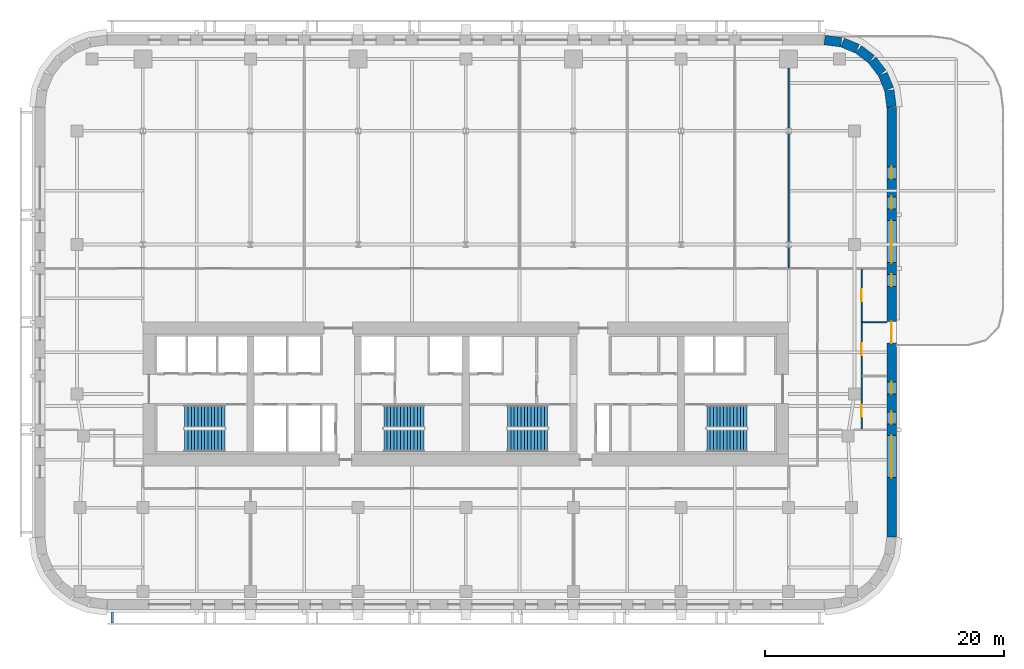
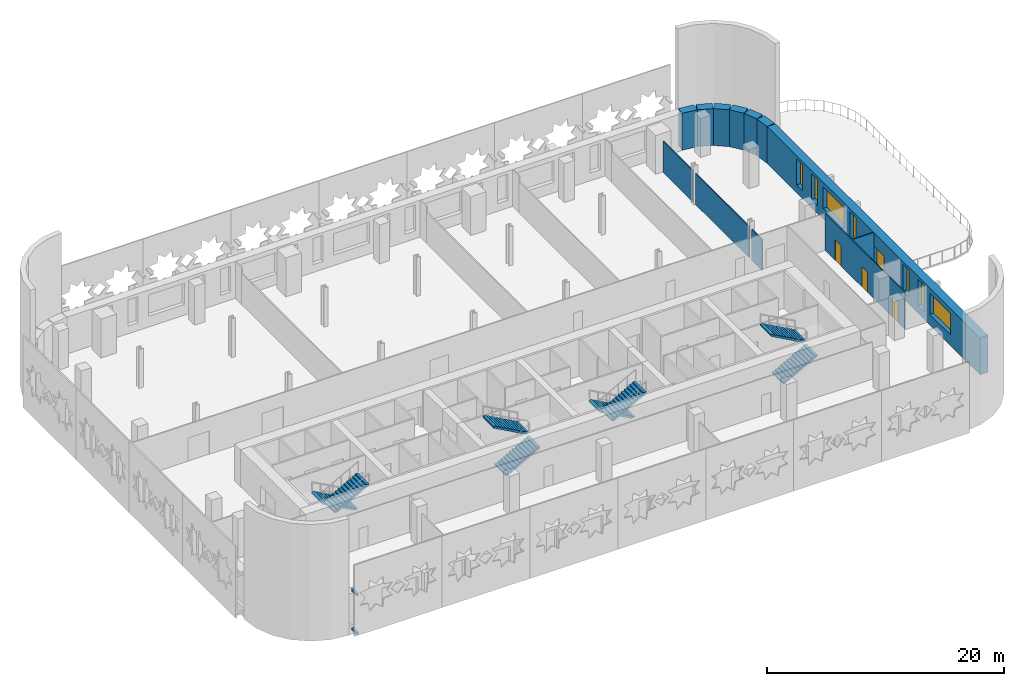
# One storey, part 7 of 11: 12 walls, 8 stair flights, 7 windows, 4 doors, 2 discrete accessories, 11 openings, 4 elements without a shape of their own.
"""IFC4 building model written with IfcOpenShell, lengths in metres."""

from ifc_helpers import new_model, si_unit, direction, frame, frame_2d, origin, origin_2d, place, context, subcontext, project, spatial, polyline, rectangle, outline, extrude, material, layer, layer_set, type_object, element, fill, aggregate, save


model = new_model("IFC4")

# Units and contexts
model_context = context("Model", 3, precision=1e-05, world=origin(), true_north=direction((0.0, 1.0)))
body_context = subcontext(model_context, "Body", "Model", "MODEL_VIEW")
ifc_project = project(units=[si_unit("LENGTHUNIT", "METRE"), si_unit("AREAUNIT", "SQUARE_METRE"), si_unit("VOLUMEUNIT", "CUBIC_METRE"), si_unit("PLANEANGLEUNIT", "RADIAN"), si_unit("MASSUNIT", "GRAM", prefix="KILO")], contexts=[model_context])

# Site, building, storey
site_placement = place(None, origin())
site = spatial("IfcSite", under=ifc_project, at=site_placement, CompositionType="ELEMENT")
building_placement = place(site_placement, origin())
building = spatial("IfcBuilding", under=site, at=building_placement, Name="Zellij Exchange Tower", CompositionType="ELEMENT")
storey_placement = place(building_placement, frame((0.0, 0.0, 144.5)))
storey = spatial("IfcBuildingStorey", under=building, at=storey_placement, Name="L32", CompositionType="ELEMENT", Elevation=144.5)

# Wall, openings, door, windows
ifc_material_1 = material(Name="Precast concrete C40/50", Category="concrete")
ifc_layer_1 = layer(ifc_material_1, 0.800048828125)
ifc_layer_set_1 = layer_set([ifc_layer_1], Name="Precast concrete C40/50")
wall_type_1 = type_object("IfcWallType", Name="ENV-EW1 Precast stone-piered wall 800", PredefinedType="SOLIDWALL", material=ifc_layer_set_1)
wall_1_placement = place(storey_placement, frame((35.60009765625, -19.947509765625, 0.0), z_axis=(0.0, 0.0, 1.0), x_axis=(0.0, 1.0, 0.0)))
wall_1 = element("IfcWall", 1, at=wall_1_placement, inside=storey, type_object=wall_type_1, Name="fac.L32.07", PredefinedType="SOLIDWALL", context=body_context, shape_type="SweptSolid", body=[
    extrude(rectangle(XDim=35.89501953125, YDim=0.800048828125, at=frame_2d((17.947509765625, 0.0))), origin(), (0.0, 0.0, 1.0), 3.800048828125),
])
opening_1_placement = place(wall_1_placement, frame((4.9638671875, 0.0, 1.10009765625)))
opening_1 = element("IfcOpeningElement", 2, at=opening_1_placement, cuts=wall_1, Name="Opening FZ2.19", PredefinedType="OPENING", context=body_context, shape_type="SweptSolid", body=[
    extrude(rectangle(XDim=3.5, YDim=2.199951171875, at=frame_2d((1.75, 1.10009765625))), frame((0.0, 0.412109375, 0.0), z_axis=(0.0, -1.0, 0.0), x_axis=(1.0, 0.0, 0.0)), (0.0, 0.0, 1.0), 0.823974609375),
])
opening_2_placement = place(wall_1_placement, frame((9.45751953125, 0.0, 0.800048828125)))
opening_2 = element("IfcOpeningElement", 3, at=opening_2_placement, cuts=wall_1, Name="Opening FZ2.20", PredefinedType="OPENING", context=body_context, shape_type="SweptSolid", body=[
    extrude(rectangle(XDim=1.0, YDim=2.699951171875, at=frame_2d((0.5, 1.35009765625))), frame((0.0, 0.412109375, 0.0), z_axis=(0.0, -1.0, 0.0), x_axis=(1.0, 0.0, 0.0)), (0.0, 0.0, 1.0), 0.823974609375),
])
opening_3_placement = place(wall_1_placement, frame((11.95751953125, 0.0, 0.800048828125)))
opening_3 = element("IfcOpeningElement", 4, at=opening_3_placement, cuts=wall_1, Name="Opening FZ2.21", PredefinedType="OPENING", context=body_context, shape_type="SweptSolid", body=[
    extrude(rectangle(XDim=1.0, YDim=2.699951171875, at=frame_2d((0.5, 1.35009765625))), frame((0.0, 0.412109375, 0.0), z_axis=(0.0, -1.0, 0.0), x_axis=(1.0, 0.0, 0.0)), (0.0, 0.0, 1.0), 0.823974609375),
])
opening_4_placement = place(wall_1_placement, frame((20.9443359375, 0.0, 0.800048828125)))
opening_4 = element("IfcOpeningElement", 5, at=opening_4_placement, cuts=wall_1, Name="Opening FZ2.22", PredefinedType="OPENING", context=body_context, shape_type="SweptSolid", body=[
    extrude(rectangle(XDim=1.0, YDim=2.699951171875, at=frame_2d((0.5, 1.35009765625))), frame((0.0, 0.412109375, 0.0), z_axis=(0.0, -1.0, 0.0), x_axis=(1.0, 0.0, 0.0)), (0.0, 0.0, 1.0), 0.823974609375),
])
opening_5_placement = place(wall_1_placement, frame((22.937744140625, 0.0, 1.10009765625)))
opening_5 = element("IfcOpeningElement", 6, at=opening_5_placement, cuts=wall_1, Name="Opening FZ2.23", PredefinedType="OPENING", context=body_context, shape_type="SweptSolid", body=[
    extrude(rectangle(XDim=3.5, YDim=2.199951171875, at=frame_2d((1.75, 1.10009765625))), frame((0.0, 0.412109375, 0.0), z_axis=(0.0, -1.0, 0.0), x_axis=(1.0, 0.0, 0.0)), (0.0, 0.0, 1.0), 0.823974609375),
])
opening_6_placement = place(wall_1_placement, frame((27.43115234375, 0.0, 0.800048828125)))
opening_6 = element("IfcOpeningElement", 7, at=opening_6_placement, cuts=wall_1, Name="Opening FZ2.24", PredefinedType="OPENING", context=body_context, shape_type="SweptSolid", body=[
    extrude(rectangle(XDim=1.0, YDim=2.699951171875, at=frame_2d((0.5, 1.35009765625))), frame((0.0, 0.412109375, 0.0), z_axis=(0.0, -1.0, 0.0), x_axis=(1.0, 0.0, 0.0)), (0.0, 0.0, 1.0), 0.823974609375),
])
opening_7_placement = place(wall_1_placement, frame((29.93115234375, 0.0, 0.800048828125)))
opening_7 = element("IfcOpeningElement", 8, at=opening_7_placement, cuts=wall_1, Name="Opening FZ2.25", PredefinedType="OPENING", context=body_context, shape_type="SweptSolid", body=[
    extrude(rectangle(XDim=1.0, YDim=2.699951171875, at=frame_2d((0.5, 1.35009765625))), frame((0.0, 0.412109375, 0.0), z_axis=(0.0, -1.0, 0.0), x_axis=(1.0, 0.0, 0.0)), (0.0, 0.0, 1.0), 0.823974609375),
])
opening_8_placement = place(wall_1_placement, frame((16.197509765625, 0.0, 0.0)))
opening_8 = element("IfcOpeningElement", 9, at=opening_8_placement, cuts=wall_1, Name="Opening FZ2.53", PredefinedType="OPENING", context=body_context, shape_type="SweptSolid", body=[
    extrude(rectangle(XDim=1.800048828125, YDim=2.39990234375, at=frame_2d((0.89990234375, 1.199951171875))), frame((0.0, 0.412109375, 0.0), z_axis=(0.0, -1.0, 0.0), x_axis=(1.0, 0.0, 0.0)), (0.0, 0.0, 1.0), 0.823974609375),
])
ifc_material_2 = material(Name="Aluminium and glass terrace door", Category="aluminium")
door_type_1 = type_object("IfcDoorType", Name="ENV-ED5 Terrace door 1800x2400", OperationType="DOUBLE_DOOR_SINGLE_SWING", PredefinedType="DOOR", material=ifc_material_2)
door_1_placement = place(opening_8_placement, origin())
door_1 = element("IfcDoor", 10, at=door_1_placement, inside=storey, type_object=door_type_1, Name="Terrace door FZ2.53", OperationType="DOUBLE_DOOR_SINGLE_SWING", OverallHeight=2.39990234375, OverallWidth=1.800048828125, PredefinedType="DOOR", context=body_context, shape_type="SweptSolid", body=[
    extrude(rectangle(XDim=1.800048828125, YDim=2.39990234375, at=frame_2d((0.89990234375, 1.199951171875))), frame((0.0, 0.02490234375, 0.0), z_axis=(0.0, -1.0, 0.0), x_axis=(1.0, 0.0, 0.0)), (0.0, 0.0, 1.0), 0.050048828125),
])
fill(opening_8, door_1)
ifc_material_3 = material(Name="Aluminium frame with insulating glass", Category="aluminium")
window_type_1 = type_object("IfcWindowType", Name="ENV-W7 Window 3500x2200", PartitioningType="SINGLE_PANEL", PredefinedType="WINDOW", material=ifc_material_3)
window_1_placement = place(opening_1_placement, origin())
window_1 = element("IfcWindow", 11, at=window_1_placement, inside=storey, type_object=window_type_1, Name="Window FZ2.19", OverallHeight=2.199951171875, OverallWidth=3.5, PartitioningType="SINGLE_PANEL", PredefinedType="WINDOW", context=body_context, shape_type="SweptSolid", body=[
    extrude(rectangle(XDim=3.5, YDim=2.199951171875, at=frame_2d((1.75, 1.10009765625))), frame((0.0, 0.030029296875, 0.0), z_axis=(0.0, -1.0, 0.0), x_axis=(1.0, 0.0, 0.0)), (0.0, 0.0, 1.0), 0.06005859375),
])
fill(opening_1, window_1)
window_2_placement = place(opening_5_placement, origin())
window_2 = element("IfcWindow", 12, at=window_2_placement, inside=storey, type_object=window_type_1, Name="Window FZ2.23", OverallHeight=2.199951171875, OverallWidth=3.5, PartitioningType="SINGLE_PANEL", PredefinedType="WINDOW", context=body_context, shape_type="SweptSolid", body=[
    extrude(rectangle(XDim=3.5, YDim=2.199951171875, at=frame_2d((1.75, 1.10009765625))), frame((0.0, 0.030029296875, 0.0), z_axis=(0.0, -1.0, 0.0), x_axis=(1.0, 0.0, 0.0)), (0.0, 0.0, 1.0), 0.06005859375),
])
fill(opening_5, window_2)
window_type_2 = type_object("IfcWindowType", Name="ENV-W8 Window 1000x2700", PartitioningType="SINGLE_PANEL", PredefinedType="WINDOW", material=ifc_material_3)
window_3_placement = place(opening_2_placement, origin())
window_3 = element("IfcWindow", 13, at=window_3_placement, inside=storey, type_object=window_type_2, Name="Window FZ2.20", OverallHeight=2.699951171875, OverallWidth=1.0, PartitioningType="SINGLE_PANEL", PredefinedType="WINDOW", context=body_context, shape_type="SweptSolid", body=[
    extrude(rectangle(XDim=1.0, YDim=2.699951171875, at=frame_2d((0.5, 1.35009765625))), frame((0.0, 0.030029296875, 0.0), z_axis=(0.0, -1.0, 0.0), x_axis=(1.0, 0.0, 0.0)), (0.0, 0.0, 1.0), 0.06005859375),
])
fill(opening_2, window_3)
window_4_placement = place(opening_3_placement, origin())
window_4 = element("IfcWindow", 14, at=window_4_placement, inside=storey, type_object=window_type_2, Name="Window FZ2.21", OverallHeight=2.699951171875, OverallWidth=1.0, PartitioningType="SINGLE_PANEL", PredefinedType="WINDOW", context=body_context, shape_type="SweptSolid", body=[
    extrude(rectangle(XDim=1.0, YDim=2.699951171875, at=frame_2d((0.5, 1.35009765625))), frame((0.0, 0.030029296875, 0.0), z_axis=(0.0, -1.0, 0.0), x_axis=(1.0, 0.0, 0.0)), (0.0, 0.0, 1.0), 0.06005859375),
])
fill(opening_3, window_4)
window_5_placement = place(opening_4_placement, origin())
window_5 = element("IfcWindow", 15, at=window_5_placement, inside=storey, type_object=window_type_2, Name="Window FZ2.22", OverallHeight=2.699951171875, OverallWidth=1.0, PartitioningType="SINGLE_PANEL", PredefinedType="WINDOW", context=body_context, shape_type="SweptSolid", body=[
    extrude(rectangle(XDim=1.0, YDim=2.699951171875, at=frame_2d((0.5, 1.35009765625))), frame((0.0, 0.030029296875, 0.0), z_axis=(0.0, -1.0, 0.0), x_axis=(1.0, 0.0, 0.0)), (0.0, 0.0, 1.0), 0.06005859375),
])
fill(opening_4, window_5)
window_6_placement = place(opening_6_placement, origin())
window_6 = element("IfcWindow", 16, at=window_6_placement, inside=storey, type_object=window_type_2, Name="Window FZ2.24", OverallHeight=2.699951171875, OverallWidth=1.0, PartitioningType="SINGLE_PANEL", PredefinedType="WINDOW", context=body_context, shape_type="SweptSolid", body=[
    extrude(rectangle(XDim=1.0, YDim=2.699951171875, at=frame_2d((0.5, 1.35009765625))), frame((0.0, 0.030029296875, 0.0), z_axis=(0.0, -1.0, 0.0), x_axis=(1.0, 0.0, 0.0)), (0.0, 0.0, 1.0), 0.06005859375),
])
fill(opening_6, window_6)
window_7_placement = place(opening_7_placement, origin())
window_7 = element("IfcWindow", 17, at=window_7_placement, inside=storey, type_object=window_type_2, Name="Window FZ2.25", OverallHeight=2.699951171875, OverallWidth=1.0, PartitioningType="SINGLE_PANEL", PredefinedType="WINDOW", context=body_context, shape_type="SweptSolid", body=[
    extrude(rectangle(XDim=1.0, YDim=2.699951171875, at=frame_2d((0.5, 1.35009765625))), frame((0.0, 0.030029296875, 0.0), z_axis=(0.0, -1.0, 0.0), x_axis=(1.0, 0.0, 0.0)), (0.0, 0.0, 1.0), 0.06005859375),
])
fill(opening_7, window_7)

# Walls
wall_2_placement = place(storey_placement, frame((35.5966796875, 15.999755859375, 0.0), z_axis=(0.0, 0.0, 1.0), x_axis=(-0.130517283865, 0.99144603414, 0.0)))
element("IfcWall", 18, at=wall_2_placement, inside=storey, type_object=wall_type_1, Name="fac.L32.08", PredefinedType="SOLIDWALL", context=body_context, shape_type="SweptSolid", body=[
    extrude(rectangle(XDim=1.408447265625, YDim=0.800048828125, at=frame_2d((0.7041015625, 0.0))), origin(), (0.0, 0.0, 1.0), 3.800048828125),
])
wall_3_placement = place(storey_placement, frame((35.3857421875, 17.497314453125, 0.0), z_axis=(0.0, 0.0, 1.0), x_axis=(-0.38276009378, 0.923847774587, 0.0)))
element("IfcWall", 19, at=wall_3_placement, inside=storey, type_object=wall_type_1, Name="fac.L32.09", PredefinedType="SOLIDWALL", context=body_context, shape_type="SweptSolid", body=[
    extrude(rectangle(XDim=1.35546875, YDim=0.800048828125, at=frame_2d((0.677734375, 0.0))), origin(), (0.0, 0.0, 1.0), 3.800048828125),
])
for number, where, z_axis, x_axis, name in (
    (20, (34.814697265625, 18.840087890625, 0.0), (0.0, 0.0, 1.0), (-0.608866226366, 0.793272915452, 0.0), "fac.L32.10"),
    (21, (33.91552734375, 19.9892578125, 0.0), (0.0, 0.0, 1.0), (-0.793272915452, 0.608866226366, 0.0), "fac.L32.11"),
):
    element("IfcWall", number, at=place(storey_placement, frame(where, z_axis=z_axis, x_axis=x_axis)), inside=storey, type_object=wall_type_1, Name=name, PredefinedType="SOLIDWALL", context=body_context, shape_type="SweptSolid", body=[
        extrude(rectangle(XDim=1.355712890625, YDim=0.800048828125, at=frame_2d((0.677734375, 0.0))), origin(), (0.0, 0.0, 1.0), 3.800048828125),
    ])
wall_4_placement = place(storey_placement, frame((32.74951171875, 20.866943359375, 0.0), z_axis=(0.0, 0.0, 1.0), x_axis=(-0.923847774587, 0.38276009378, 0.0)))
element("IfcWall", 22, at=wall_4_placement, inside=storey, type_object=wall_type_1, Name="fac.L32.12", PredefinedType="SOLIDWALL", context=body_context, shape_type="SweptSolid", body=[
    extrude(rectangle(XDim=1.35546875, YDim=0.800048828125, at=frame_2d((0.677734375, 0.0))), origin(), (0.0, 0.0, 1.0), 3.800048828125),
])
wall_5_placement = place(storey_placement, frame((31.396240234375, 21.412841796875, 0.0), z_axis=(0.0, 0.0, 1.0), x_axis=(-0.99144603414, 0.130517283865, 0.0)))
element("IfcWall", 23, at=wall_5_placement, inside=storey, type_object=wall_type_1, Name="fac.L32.13", PredefinedType="SOLIDWALL", context=body_context, shape_type="SweptSolid", body=[
    extrude(rectangle(XDim=1.408447265625, YDim=0.800048828125, at=frame_2d((0.7041015625, 0.0))), origin(), (0.0, 0.0, 1.0), 3.800048828125),
])

# Wall, openings, doors
ifc_material_4 = material(Name="Gypsum board partition on steel studs", Category="steel")
ifc_layer_2 = layer(ifc_material_4, 0.10009765625)
ifc_layer_set_2 = layer_set([ifc_layer_2], Name="Gypsum board partition on steel studs")
wall_type_2 = type_object("IfcWallType", Name="FIT-PARTITION-100", PredefinedType="PARTITIONING", material=ifc_layer_set_2)
wall_6_placement = place(storey_placement, frame((33.10009765625, -10.93994140625, 0.0), z_axis=(0.0, 0.0, 1.0), x_axis=(0.0, 1.0, 0.0)))
wall_6 = element("IfcWall", 24, at=wall_6_placement, inside=storey, type_object=wall_type_2, Name="FIT-PARTITION-100 016", PredefinedType="PARTITIONING", context=body_context, shape_type="SweptSolid", body=[
    extrude(rectangle(XDim=13.3798828125, YDim=0.10009765625, at=frame_2d((6.68994140625, 0.0))), origin(), (0.0, 0.0, 1.0), 3.800048828125),
])
opening_9_placement = place(wall_6_placement, frame((1.050048828125, 0.0, 0.0)))
opening_9 = element("IfcOpeningElement", 25, at=opening_9_placement, cuts=wall_6, Name="Opening TH.04", PredefinedType="OPENING", context=body_context, shape_type="SweptSolid", body=[
    extrude(rectangle(XDim=1.0, YDim=2.10009765625, at=frame_2d((0.5, 1.050048828125))), frame((0.0, 0.06201171875, 0.0), z_axis=(0.0, -1.0, 0.0), x_axis=(1.0, 0.0, 0.0)), (0.0, 0.0, 1.0), 0.1240234375),
])
opening_10_placement = place(wall_6_placement, frame((6.199951171875, 0.0, 0.0)))
opening_10 = element("IfcOpeningElement", 26, at=opening_10_placement, cuts=wall_6, Name="Opening TH.06", PredefinedType="OPENING", context=body_context, shape_type="SweptSolid", body=[
    extrude(rectangle(XDim=1.0, YDim=2.10009765625, at=frame_2d((0.5, 1.050048828125))), frame((0.0, 0.06201171875, 0.0), z_axis=(0.0, -1.0, 0.0), x_axis=(1.0, 0.0, 0.0)), (0.0, 0.0, 1.0), 0.1240234375),
])
opening_11_placement = place(wall_6_placement, frame((10.68994140625, 0.0, 0.0)))
opening_11 = element("IfcOpeningElement", 27, at=opening_11_placement, cuts=wall_6, Name="Opening TH.07", PredefinedType="OPENING", context=body_context, shape_type="SweptSolid", body=[
    extrude(rectangle(XDim=1.0, YDim=2.10009765625, at=frame_2d((0.5, 1.050048828125))), frame((0.0, 0.06201171875, 0.0), z_axis=(0.0, -1.0, 0.0), x_axis=(1.0, 0.0, 0.0)), (0.0, 0.0, 1.0), 0.1240234375),
])
ifc_material_5 = material(Name="Timber door set", Category="wood")
door_type_2 = type_object("IfcDoorType", Name="FIT-D2-WIDE-1000X2100", OperationType="SINGLE_SWING_LEFT", PredefinedType="DOOR", material=ifc_material_5)
door_2_placement = place(opening_9_placement, origin())
door_2 = element("IfcDoor", 28, at=door_2_placement, inside=storey, type_object=door_type_2, Name="Door TH.04", OperationType="SINGLE_SWING_LEFT", OverallHeight=2.10009765625, OverallWidth=1.0, PredefinedType="DOOR", context=body_context, shape_type="SweptSolid", body=[
    extrude(rectangle(XDim=1.0, YDim=2.10009765625, at=frame_2d((0.5, 1.050048828125))), frame((0.0, 0.02490234375, 0.0), z_axis=(0.0, -1.0, 0.0), x_axis=(1.0, 0.0, 0.0)), (0.0, 0.0, 1.0), 0.050048828125),
])
fill(opening_9, door_2)
door_3_placement = place(opening_10_placement, origin())
door_3 = element("IfcDoor", 29, at=door_3_placement, inside=storey, type_object=door_type_2, Name="Door TH.06", OperationType="SINGLE_SWING_RIGHT", OverallHeight=2.10009765625, OverallWidth=1.0, PredefinedType="DOOR", context=body_context, shape_type="SweptSolid", body=[
    extrude(rectangle(XDim=1.0, YDim=2.10009765625, at=frame_2d((0.5, 1.050048828125))), frame((0.0, 0.02490234375, 0.0), z_axis=(0.0, -1.0, 0.0), x_axis=(1.0, 0.0, 0.0)), (0.0, 0.0, 1.0), 0.050048828125),
])
fill(opening_10, door_3)
door_4_placement = place(opening_11_placement, origin())
door_4 = element("IfcDoor", 30, at=door_4_placement, inside=storey, type_object=door_type_2, Name="Door TH.07", OperationType="SINGLE_SWING_RIGHT", OverallHeight=2.10009765625, OverallWidth=1.0, PredefinedType="DOOR", context=body_context, shape_type="SweptSolid", body=[
    extrude(rectangle(XDim=1.0, YDim=2.10009765625, at=frame_2d((0.5, 1.050048828125))), frame((0.0, 0.02490234375, 0.0), z_axis=(0.0, -1.0, 0.0), x_axis=(1.0, 0.0, 0.0)), (0.0, 0.0, 1.0), 0.050048828125),
])
fill(opening_11, door_4)

# Walls
wall_7_placement = place(storey_placement, frame((33.14990234375, -2.0, 0.0), z_axis=(0.0, 0.0, 1.0), x_axis=(1.0, 0.0, 0.0)))
element("IfcWall", 31, at=wall_7_placement, inside=storey, type_object=wall_type_2, Name="FIT-PARTITION-100 018", PredefinedType="PARTITIONING", context=body_context, shape_type="SweptSolid", body=[
    extrude(rectangle(XDim=2.050048828125, YDim=0.10009765625, at=frame_2d((1.02490234375, 0.0))), origin(), (0.0, 0.0, 1.0), 3.800048828125),
])
wall_8_placement = place(storey_placement, frame((27.0, 2.5400390625, 0.0), z_axis=(0.0, 0.0, 1.0), x_axis=(0.0, 1.0, 0.0)))
element("IfcWall", 32, at=wall_8_placement, inside=storey, type_object=wall_type_2, Name="FIT-PARTITION-100 028", PredefinedType="PARTITIONING", context=body_context, shape_type="SweptSolid", body=[
    extrude(rectangle(XDim=1.732666015625, YDim=0.10009765625, at=frame_2d((0.8662109375, 0.0))), origin(), (0.0, 0.0, 1.0), 3.18798828125),
])
wall_9_placement = place(storey_placement, frame((27.0, 4.727294921875, 0.0), z_axis=(0.0, 0.0, 1.0), x_axis=(0.0, 1.0, 0.0)))
element("IfcWall", 33, at=wall_9_placement, inside=storey, type_object=wall_type_2, Name="FIT-PARTITION-100 029", PredefinedType="PARTITIONING", context=body_context, shape_type="SweptSolid", body=[
    extrude(rectangle(XDim=9.04541015625, YDim=0.10009765625, at=frame_2d((4.522705078125, 0.0))), origin(), (0.0, 0.0, 1.0), 3.18798828125),
])
wall_10_placement = place(storey_placement, frame((27.0, 14.227294921875, 0.0), z_axis=(0.0, 0.0, 1.0), x_axis=(0.0, 1.0, 0.0)))
element("IfcWall", 34, at=wall_10_placement, inside=storey, type_object=wall_type_2, Name="FIT-PARTITION-100 030", PredefinedType="PARTITIONING", context=body_context, shape_type="SweptSolid", body=[
    extrude(rectangle(XDim=5.022705078125, YDim=0.10009765625, at=frame_2d((2.51123046875, 0.0))), origin(), (0.0, 0.0, 1.0), 3.18798828125),
])

# Stair, stair flights
ifc_material_6 = material(Name="Concrete C40/50", Category="concrete")
stair_type = type_object("IfcStairType", Name="CORE-ST exit stair 1850 wide", PredefinedType="HALF_TURN_STAIR", material=ifc_material_6)
stair_1_placement = place(storey_placement, origin())
stair_1 = element("IfcStair", 35, at=stair_1_placement, inside=storey, type_object=stair_type, Name="L32 exit stair ST1", PredefinedType="HALF_TURN_STAIR")
stair_flight_type = type_object("IfcStairFlightType", Name="CORE-SF flight 1850 riser 153.8 going 280", PredefinedType="STRAIGHT", material=ifc_material_6)
stair_flight_1_placement = place(storey_placement, frame((-20.14990234375, -9.875, 0.0), z_axis=(0.0, 0.0, 1.0), x_axis=(-1.0, 0.0, 0.0)))
stair_flight_1 = element("IfcStairFlight", 36, at=stair_flight_1_placement, type_object=stair_flight_type, Name="ST1 flight 1", NumberOfRisers=13, NumberOfTreads=12, PredefinedType="STRAIGHT", RiserHeight=0.153846154, TreadLength=0.28, context=body_context, shape_type="SweptSolid", body=[
    extrude(outline(polyline([(0.0, 0.0), (0.0, 0.15380859375), (0.280029296875, 0.15380859375), (0.280029296875, 0.3076171875), (0.56005859375, 0.3076171875), (0.56005859375, 0.46142578125), (0.840087890625, 0.46142578125), (0.840087890625, 0.615478515625), (1.1201171875, 0.615478515625), (1.1201171875, 0.769287109375), (1.39990234375, 0.769287109375), (1.39990234375, 0.923095703125), (1.679931640625, 0.923095703125), (1.679931640625, 1.076904296875), (1.9599609375, 1.076904296875), (1.9599609375, 1.230712890625), (2.239990234375, 1.230712890625), (2.239990234375, 1.384521484375), (2.52001953125, 1.384521484375), (2.52001953125, 1.53857421875), (2.800048828125, 1.53857421875), (2.800048828125, 1.6923828125), (3.080078125, 1.6923828125), (3.080078125, 1.84619140625), (3.360107421875, 1.84619140625), (3.360107421875, 2.0), (3.360107421875, 1.675048828125), (0.311279296875, 0.0), (0.0, 0.0)])), frame((0.0, 0.925048828125, 0.0), z_axis=(0.0, -1.0, 0.0), x_axis=(1.0, 0.0, 0.0)), (0.0, 0.0, 1.0), 1.85009765625),
])
stair_flight_2_placement = place(storey_placement, frame((-23.510009765625, -11.875, 2.0), z_axis=(0.0, 0.0, 1.0), x_axis=(1.0, 0.0, 0.0)))
stair_flight_2 = element("IfcStairFlight", 37, at=stair_flight_2_placement, type_object=stair_flight_type, Name="ST1 flight 2", NumberOfRisers=13, NumberOfTreads=12, PredefinedType="STRAIGHT", RiserHeight=0.153846154, TreadLength=0.28, context=body_context, shape_type="SweptSolid", body=[
    extrude(outline(polyline([(0.0, 0.0), (0.0, 0.15380859375), (0.280029296875, 0.15380859375), (0.280029296875, 0.3076171875), (0.56005859375, 0.3076171875), (0.56005859375, 0.46142578125), (0.840087890625, 0.46142578125), (0.840087890625, 0.615478515625), (1.1201171875, 0.615478515625), (1.1201171875, 0.769287109375), (1.39990234375, 0.769287109375), (1.39990234375, 0.923095703125), (1.679931640625, 0.923095703125), (1.679931640625, 1.076904296875), (1.9599609375, 1.076904296875), (1.9599609375, 1.230712890625), (2.239990234375, 1.230712890625), (2.239990234375, 1.384521484375), (2.52001953125, 1.384521484375), (2.52001953125, 1.53857421875), (2.800048828125, 1.53857421875), (2.800048828125, 1.6923828125), (3.080078125, 1.6923828125), (3.080078125, 1.84619140625), (3.360107421875, 1.84619140625), (3.360107421875, 2.0), (3.360107421875, 1.675048828125), (0.311279296875, 0.0), (0.0, 0.0)])), frame((0.0, 0.925048828125, 0.0), z_axis=(0.0, -1.0, 0.0), x_axis=(1.0, 0.0, 0.0)), (0.0, 0.0, 1.0), 1.85009765625),
])
aggregate(stair_1, [stair_flight_1, stair_flight_2])

stair_2_placement = place(storey_placement, origin())
stair_2 = element("IfcStair", 38, at=stair_2_placement, inside=storey, type_object=stair_type, Name="L32 exit stair ST2", PredefinedType="HALF_TURN_STAIR")
stair_flight_3_placement = place(storey_placement, frame((-6.85009765625, -11.875, 0.0), z_axis=(0.0, 0.0, 1.0), x_axis=(1.0, 0.0, 0.0)))
stair_flight_3 = element("IfcStairFlight", 39, at=stair_flight_3_placement, type_object=stair_flight_type, Name="ST2 flight 1", NumberOfRisers=13, NumberOfTreads=12, PredefinedType="STRAIGHT", RiserHeight=0.153846154, TreadLength=0.28, context=body_context, shape_type="SweptSolid", body=[
    extrude(outline(polyline([(0.0, 0.0), (0.0, 0.15380859375), (0.280029296875, 0.15380859375), (0.280029296875, 0.3076171875), (0.56005859375, 0.3076171875), (0.56005859375, 0.46142578125), (0.840087890625, 0.46142578125), (0.840087890625, 0.615478515625), (1.1201171875, 0.615478515625), (1.1201171875, 0.769287109375), (1.39990234375, 0.769287109375), (1.39990234375, 0.923095703125), (1.679931640625, 0.923095703125), (1.679931640625, 1.076904296875), (1.9599609375, 1.076904296875), (1.9599609375, 1.230712890625), (2.239990234375, 1.230712890625), (2.239990234375, 1.384521484375), (2.52001953125, 1.384521484375), (2.52001953125, 1.53857421875), (2.800048828125, 1.53857421875), (2.800048828125, 1.6923828125), (3.080078125, 1.6923828125), (3.080078125, 1.84619140625), (3.360107421875, 1.84619140625), (3.360107421875, 2.0), (3.360107421875, 1.675048828125), (0.311279296875, 0.0), (0.0, 0.0)])), frame((0.0, 0.925048828125, 0.0), z_axis=(0.0, -1.0, 0.0), x_axis=(1.0, 0.0, 0.0)), (0.0, 0.0, 1.0), 1.85009765625),
])
stair_flight_4_placement = place(storey_placement, frame((-3.489990234375, -9.875, 2.0), z_axis=(0.0, 0.0, 1.0), x_axis=(-1.0, 0.0, 0.0)))
stair_flight_4 = element("IfcStairFlight", 40, at=stair_flight_4_placement, type_object=stair_flight_type, Name="ST2 flight 2", NumberOfRisers=13, NumberOfTreads=12, PredefinedType="STRAIGHT", RiserHeight=0.153846154, TreadLength=0.28, context=body_context, shape_type="SweptSolid", body=[
    extrude(outline(polyline([(0.0, 0.0), (0.0, 0.15380859375), (0.280029296875, 0.15380859375), (0.280029296875, 0.3076171875), (0.56005859375, 0.3076171875), (0.56005859375, 0.46142578125), (0.840087890625, 0.46142578125), (0.840087890625, 0.615478515625), (1.1201171875, 0.615478515625), (1.1201171875, 0.769287109375), (1.39990234375, 0.769287109375), (1.39990234375, 0.923095703125), (1.679931640625, 0.923095703125), (1.679931640625, 1.076904296875), (1.9599609375, 1.076904296875), (1.9599609375, 1.230712890625), (2.239990234375, 1.230712890625), (2.239990234375, 1.384521484375), (2.52001953125, 1.384521484375), (2.52001953125, 1.53857421875), (2.800048828125, 1.53857421875), (2.800048828125, 1.6923828125), (3.080078125, 1.6923828125), (3.080078125, 1.84619140625), (3.360107421875, 1.84619140625), (3.360107421875, 2.0), (3.360107421875, 1.675048828125), (0.311279296875, 0.0), (0.0, 0.0)])), frame((0.0, 0.925048828125, 0.0), z_axis=(0.0, -1.0, 0.0), x_axis=(1.0, 0.0, 0.0)), (0.0, 0.0, 1.0), 1.85009765625),
])
aggregate(stair_2, [stair_flight_3, stair_flight_4])

stair_3_placement = place(storey_placement, origin())
stair_3 = element("IfcStair", 41, at=stair_3_placement, inside=storey, type_object=stair_type, Name="L32 exit stair ST3", PredefinedType="HALF_TURN_STAIR")
stair_flight_5_placement = place(storey_placement, frame((6.85009765625, -9.875, 0.0), z_axis=(0.0, 0.0, 1.0), x_axis=(-1.0, 0.0, 0.0)))
stair_flight_5 = element("IfcStairFlight", 42, at=stair_flight_5_placement, type_object=stair_flight_type, Name="ST3 flight 1", NumberOfRisers=13, NumberOfTreads=12, PredefinedType="STRAIGHT", RiserHeight=0.153846154, TreadLength=0.28, context=body_context, shape_type="SweptSolid", body=[
    extrude(outline(polyline([(0.0, 0.0), (0.0, 0.15380859375), (0.280029296875, 0.15380859375), (0.280029296875, 0.3076171875), (0.56005859375, 0.3076171875), (0.56005859375, 0.46142578125), (0.840087890625, 0.46142578125), (0.840087890625, 0.615478515625), (1.1201171875, 0.615478515625), (1.1201171875, 0.769287109375), (1.39990234375, 0.769287109375), (1.39990234375, 0.923095703125), (1.679931640625, 0.923095703125), (1.679931640625, 1.076904296875), (1.9599609375, 1.076904296875), (1.9599609375, 1.230712890625), (2.239990234375, 1.230712890625), (2.239990234375, 1.384521484375), (2.52001953125, 1.384521484375), (2.52001953125, 1.53857421875), (2.800048828125, 1.53857421875), (2.800048828125, 1.6923828125), (3.080078125, 1.6923828125), (3.080078125, 1.84619140625), (3.360107421875, 1.84619140625), (3.360107421875, 2.0), (3.360107421875, 1.675048828125), (0.311279296875, 0.0), (0.0, 0.0)])), frame((0.0, 0.925048828125, 0.0), z_axis=(0.0, -1.0, 0.0), x_axis=(1.0, 0.0, 0.0)), (0.0, 0.0, 1.0), 1.85009765625),
])
stair_flight_6_placement = place(storey_placement, frame((3.489990234375, -11.875, 2.0), z_axis=(0.0, 0.0, 1.0), x_axis=(1.0, 0.0, 0.0)))
stair_flight_6 = element("IfcStairFlight", 43, at=stair_flight_6_placement, type_object=stair_flight_type, Name="ST3 flight 2", NumberOfRisers=13, NumberOfTreads=12, PredefinedType="STRAIGHT", RiserHeight=0.153846154, TreadLength=0.28, context=body_context, shape_type="SweptSolid", body=[
    extrude(outline(polyline([(0.0, 0.0), (0.0, 0.15380859375), (0.280029296875, 0.15380859375), (0.280029296875, 0.3076171875), (0.56005859375, 0.3076171875), (0.56005859375, 0.46142578125), (0.840087890625, 0.46142578125), (0.840087890625, 0.615478515625), (1.1201171875, 0.615478515625), (1.1201171875, 0.769287109375), (1.39990234375, 0.769287109375), (1.39990234375, 0.923095703125), (1.679931640625, 0.923095703125), (1.679931640625, 1.076904296875), (1.9599609375, 1.076904296875), (1.9599609375, 1.230712890625), (2.239990234375, 1.230712890625), (2.239990234375, 1.384521484375), (2.52001953125, 1.384521484375), (2.52001953125, 1.53857421875), (2.800048828125, 1.53857421875), (2.800048828125, 1.6923828125), (3.080078125, 1.6923828125), (3.080078125, 1.84619140625), (3.360107421875, 1.84619140625), (3.360107421875, 2.0), (3.360107421875, 1.675048828125), (0.311279296875, 0.0), (0.0, 0.0)])), frame((0.0, 0.925048828125, 0.0), z_axis=(0.0, -1.0, 0.0), x_axis=(1.0, 0.0, 0.0)), (0.0, 0.0, 1.0), 1.85009765625),
])
aggregate(stair_3, [stair_flight_5, stair_flight_6])

stair_4_placement = place(storey_placement, origin())
stair_4 = element("IfcStair", 44, at=stair_4_placement, inside=storey, type_object=stair_type, Name="L32 exit stair ST4", PredefinedType="HALF_TURN_STAIR")
stair_flight_7_placement = place(storey_placement, frame((20.14990234375, -11.875, 0.0), z_axis=(0.0, 0.0, 1.0), x_axis=(1.0, 0.0, 0.0)))
stair_flight_7 = element("IfcStairFlight", 45, at=stair_flight_7_placement, type_object=stair_flight_type, Name="ST4 flight 1", NumberOfRisers=13, NumberOfTreads=12, PredefinedType="STRAIGHT", RiserHeight=0.153846154, TreadLength=0.28, context=body_context, shape_type="SweptSolid", body=[
    extrude(outline(polyline([(0.0, 0.0), (0.0, 0.15380859375), (0.280029296875, 0.15380859375), (0.280029296875, 0.3076171875), (0.56005859375, 0.3076171875), (0.56005859375, 0.46142578125), (0.840087890625, 0.46142578125), (0.840087890625, 0.615478515625), (1.1201171875, 0.615478515625), (1.1201171875, 0.769287109375), (1.39990234375, 0.769287109375), (1.39990234375, 0.923095703125), (1.679931640625, 0.923095703125), (1.679931640625, 1.076904296875), (1.9599609375, 1.076904296875), (1.9599609375, 1.230712890625), (2.239990234375, 1.230712890625), (2.239990234375, 1.384521484375), (2.52001953125, 1.384521484375), (2.52001953125, 1.53857421875), (2.800048828125, 1.53857421875), (2.800048828125, 1.6923828125), (3.080078125, 1.6923828125), (3.080078125, 1.84619140625), (3.360107421875, 1.84619140625), (3.360107421875, 2.0), (3.360107421875, 1.675048828125), (0.311279296875, 0.0), (0.0, 0.0)])), frame((0.0, 0.925048828125, 0.0), z_axis=(0.0, -1.0, 0.0), x_axis=(1.0, 0.0, 0.0)), (0.0, 0.0, 1.0), 1.85009765625),
])
stair_flight_8_placement = place(storey_placement, frame((23.510009765625, -9.875, 2.0), z_axis=(0.0, 0.0, 1.0), x_axis=(-1.0, 0.0, 0.0)))
stair_flight_8 = element("IfcStairFlight", 46, at=stair_flight_8_placement, type_object=stair_flight_type, Name="ST4 flight 2", NumberOfRisers=13, NumberOfTreads=12, PredefinedType="STRAIGHT", RiserHeight=0.153846154, TreadLength=0.28, context=body_context, shape_type="SweptSolid", body=[
    extrude(outline(polyline([(0.0, 0.0), (0.0, 0.15380859375), (0.280029296875, 0.15380859375), (0.280029296875, 0.3076171875), (0.56005859375, 0.3076171875), (0.56005859375, 0.46142578125), (0.840087890625, 0.46142578125), (0.840087890625, 0.615478515625), (1.1201171875, 0.615478515625), (1.1201171875, 0.769287109375), (1.39990234375, 0.769287109375), (1.39990234375, 0.923095703125), (1.679931640625, 0.923095703125), (1.679931640625, 1.076904296875), (1.9599609375, 1.076904296875), (1.9599609375, 1.230712890625), (2.239990234375, 1.230712890625), (2.239990234375, 1.384521484375), (2.52001953125, 1.384521484375), (2.52001953125, 1.53857421875), (2.800048828125, 1.53857421875), (2.800048828125, 1.6923828125), (3.080078125, 1.6923828125), (3.080078125, 1.84619140625), (3.360107421875, 1.84619140625), (3.360107421875, 2.0), (3.360107421875, 1.675048828125), (0.311279296875, 0.0), (0.0, 0.0)])), frame((0.0, 0.925048828125, 0.0), z_axis=(0.0, -1.0, 0.0), x_axis=(1.0, 0.0, 0.0)), (0.0, 0.0, 1.0), 1.85009765625),
])
aggregate(stair_4, [stair_flight_7, stair_flight_8])

# Discrete accessories
ifc_material_7 = material(Name="Stainless steel", Category="steel")
discrete_accessory_type = type_object("IfcDiscreteAccessoryType", Name="ENV-BR1 Stone panel bracket 200", PredefinedType="USERDEFINED", material=ifc_material_7)
for number, where, z_axis, x_axis, name in (
    (47, (-29.547607421875, -26.699951171875, 0.2998046875), (0.0, 0.0, 1.0), (1.0, 0.0, 0.0), "Panel bracket"),
    (48, (-29.547607421875, -26.699951171875, 4.2998046875), (0.0, 0.0, 1.0), (1.0, 0.0, 0.0), "Panel bracket"),
):
    element("IfcDiscreteAccessory", number, at=place(storey_placement, frame(where, z_axis=z_axis, x_axis=x_axis)), inside=storey, type_object=discrete_accessory_type, Name=name, ObjectType="BRACKET", PredefinedType="USERDEFINED", context=body_context, shape_type="SweptSolid", body=[
        extrude(rectangle(XDim=0.199951171875, YDim=0.89990234375, at=origin_2d()), origin(), (0.0, 0.0, 1.0), 0.199951171875),
    ])

save(model, "model.ifc")
